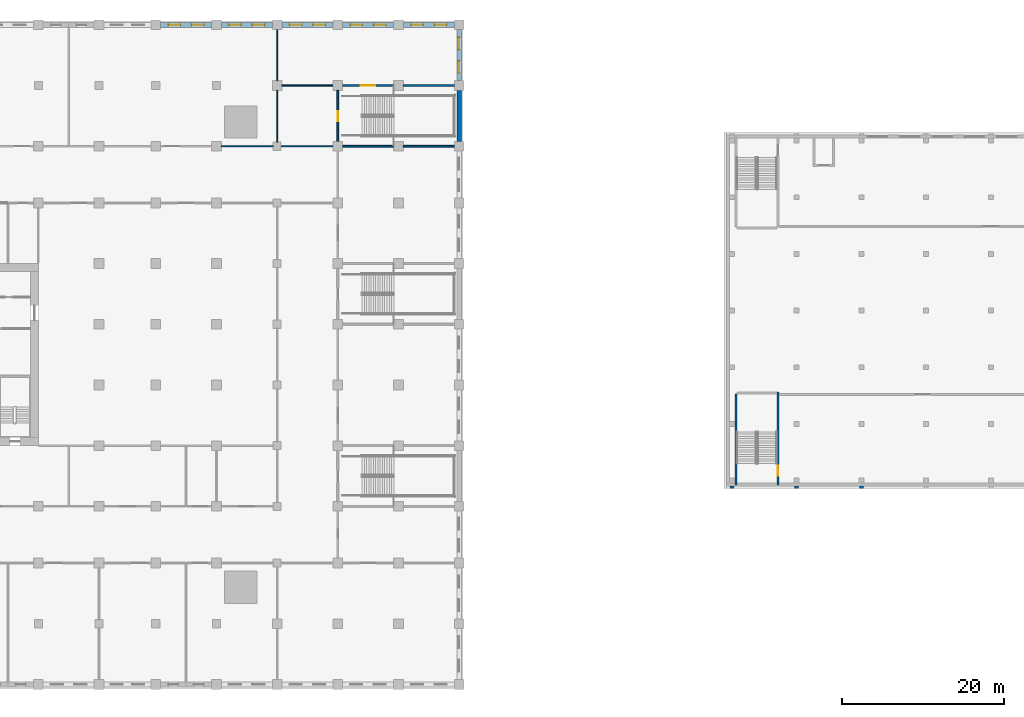
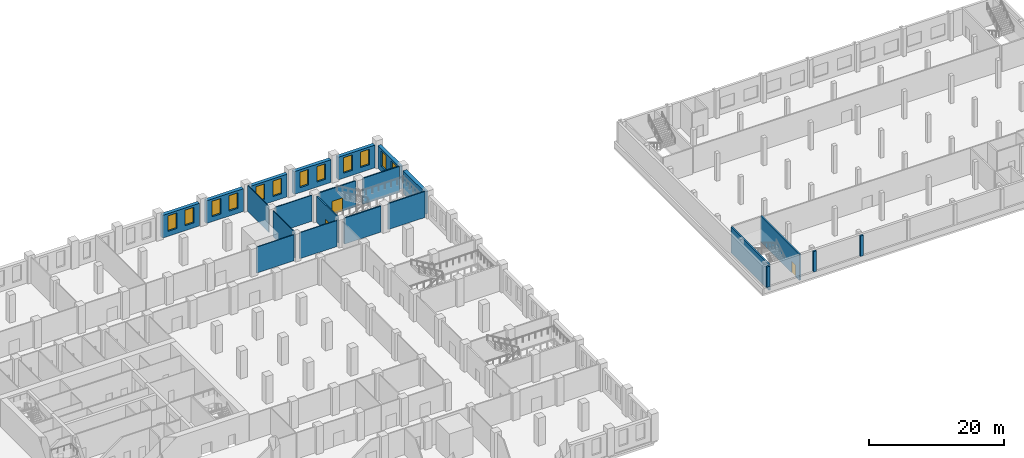
# One storey, part 10 of 32: 22 walls, 12 windows, 3 doors, 15 openings.
"""IFC4 building model written with IfcOpenShell, lengths in metres."""

from ifc_helpers import new_model, si_unit, direction, frame, frame_2d, origin, place, context, subcontext, project, spatial, rectangle, extrude, material, layer, layer_set, type_object, element, fill, save


model = new_model("IFC4")

# Units and contexts
model_context = context("Model", 3, precision=1e-05, world=origin(), true_north=direction((0.0, 1.0)))
body_context = subcontext(model_context, "Body", "Model", "MODEL_VIEW")
ifc_project = project(units=[si_unit("LENGTHUNIT", "METRE"), si_unit("AREAUNIT", "SQUARE_METRE"), si_unit("VOLUMEUNIT", "CUBIC_METRE"), si_unit("PLANEANGLEUNIT", "RADIAN"), si_unit("MASSUNIT", "GRAM", prefix="KILO")], contexts=[model_context])

# Site, building, storey
site_placement = place(None, origin())
site = spatial("IfcSite", under=ifc_project, at=site_placement, CompositionType="ELEMENT")
building_placement = place(site_placement, origin())
building = spatial("IfcBuilding", under=site, at=building_placement, Name="Tamorin Gate", CompositionType="ELEMENT")
storey_placement = place(building_placement, frame((0.0, 0.0, 13.5)))
storey = spatial("IfcBuildingStorey", under=building, at=storey_placement, Name="L02", CompositionType="ELEMENT", Elevation=13.5)

# Wall
ifc_material_1 = material(Name="Concrete C40/50", Category="concrete")
ifc_layer_1 = layer(ifc_material_1, 0.25)
ifc_layer_set_1 = layer_set([ifc_layer_1], Name="Museum stair and lift enclosure wall 250 C40/50")
wall_type_1 = type_object("IfcWallType", Name="Museum stair and lift enclosure wall 250 C40/50", PredefinedType="SHEAR", material=ifc_layer_set_1)
wall_1_placement = place(storey_placement, frame((146.175048828125, 55.14990234375, 0.0), z_axis=(0.0, 0.0, 1.0), x_axis=(0.0, 1.0, 0.0)))
element("IfcWall", 1, at=wall_1_placement, inside=storey, type_object=wall_type_1, Name="Stair PS8 wall", PredefinedType="SHEAR", context=body_context, shape_type="SweptSolid", body=[
    extrude(rectangle(XDim=11.210205078125, YDim=0.25, at=frame_2d((5.60498046875, 0.0))), origin(), (0.0, 0.0, 1.0), 4.699951171875),
])

# Wall, opening, door
wall_2_placement = place(storey_placement, frame((151.375, 55.14990234375, 0.0), z_axis=(0.0, 0.0, 1.0), x_axis=(0.0, 1.0, 0.0)))
wall_2 = element("IfcWall", 2, at=wall_2_placement, inside=storey, type_object=wall_type_1, Name="Stair PS8 wall", PredefinedType="SHEAR", context=body_context, shape_type="SweptSolid", body=[
    extrude(rectangle(XDim=11.460205078125, YDim=0.25, at=frame_2d((5.72998046875, 0.0))), origin(), (0.0, 0.0, 1.0), 4.699951171875),
])
opening_1_placement = place(wall_2_placement, frame((1.14990234375, 0.0, 0.0)))
opening_1 = element("IfcOpeningElement", 3, at=opening_1_placement, cuts=wall_2, Name="Opening DM16", PredefinedType="OPENING", context=body_context, shape_type="SweptSolid", body=[
    extrude(rectangle(XDim=1.199951171875, YDim=2.10009765625, at=frame_2d((0.60009765625, 1.050048828125))), frame((0.0, 0.135009765625, 0.0), z_axis=(0.0, -1.0, 0.0), x_axis=(1.0, 0.0, 0.0)), (0.0, 0.0, 1.0), 0.27001953125),
])
ifc_material_2 = material(Name="Steel, painted", Category="steel")
door_type_1 = type_object("IfcDoorType", Name="Museum stair door 1200x2100 FD90", OperationType="SINGLE_SWING_LEFT", PredefinedType="DOOR", material=ifc_material_2)
door_1_placement = place(opening_1_placement, origin())
door_1 = element("IfcDoor", 4, at=door_1_placement, inside=storey, type_object=door_type_1, Name="Stair door", OperationType="SINGLE_SWING_RIGHT", OverallHeight=2.10009765625, OverallWidth=1.199951171875, PredefinedType="DOOR", context=body_context, shape_type="SweptSolid", body=[
    extrude(rectangle(XDim=1.199951171875, YDim=2.10009765625, at=frame_2d((0.60009765625, 1.050048828125))), frame((0.0, 0.02490234375, 0.0), z_axis=(0.0, -1.0, 0.0), x_axis=(1.0, 0.0, 0.0)), (0.0, 0.0, 1.0), 0.050048828125),
])
fill(opening_1, door_1)

# Walls
ifc_material_3 = material(Name="Concrete masonry C20/25", Category="masonry")
ifc_layer_2 = layer(ifc_material_3, 0.14990234375)
ifc_layer_set_2 = layer_set([ifc_layer_2], Name="Partition 150")
wall_type_2 = type_object("IfcWallType", Name="Partition 150", PredefinedType="PARTITIONING", material=ifc_layer_set_2)
for number, where, z_axis, x_axis, name in (
    (5, (82.60009765625, 97.0, 0.0), (0.0, 0.0, 1.0), (1.0, 0.0, 0.0), "Partition 150 L02"),
    (6, (90.0, 97.0, 0.0), (0.0, 0.0, 1.0), (1.0, 0.0, 0.0), "Partition 150 L02"),
):
    element("IfcWall", number, at=place(storey_placement, frame(where, z_axis=z_axis, x_axis=x_axis)), inside=storey, type_object=wall_type_2, Name=name, PredefinedType="PARTITIONING", context=body_context, shape_type="SweptSolid", body=[
        extrude(rectangle(XDim=6.39990234375, YDim=0.14990234375, at=frame_2d((3.199951171875, 0.0))), origin(), (0.0, 0.0, 1.0), 4.699951171875),
    ])
wall_3_placement = place(storey_placement, frame((90.10009765625, 104.5, 0.0), z_axis=(0.0, 0.0, 1.0), x_axis=(1.0, 0.0, 0.0)))
element("IfcWall", 7, at=wall_3_placement, inside=storey, type_object=wall_type_2, Name="Partition 150 L02", PredefinedType="PARTITIONING", context=body_context, shape_type="SweptSolid", body=[
    extrude(rectangle(XDim=6.2998046875, YDim=0.14990234375, at=frame_2d((3.14990234375, 0.0))), origin(), (0.0, 0.0, 1.0), 4.699951171875),
])
wall_4_placement = place(storey_placement, frame((89.5, 97.5, 0.0), z_axis=(0.0, 0.0, 1.0), x_axis=(0.0, 1.0, 0.0)))
element("IfcWall", 8, at=wall_4_placement, inside=storey, type_object=wall_type_2, Name="Partition 150 L02", PredefinedType="PARTITIONING", context=body_context, shape_type="SweptSolid", body=[
    extrude(rectangle(XDim=6.39990234375, YDim=0.14990234375, at=frame_2d((3.199951171875, 0.0))), origin(), (0.0, 0.0, 1.0), 4.699951171875),
])
wall_5_placement = place(storey_placement, frame((89.5, 105.10009765625, 0.0), z_axis=(0.0, 0.0, 1.0), x_axis=(0.0, 1.0, 0.0)))
element("IfcWall", 9, at=wall_5_placement, inside=storey, type_object=wall_type_2, Name="Partition 150 L02", PredefinedType="PARTITIONING", context=body_context, shape_type="SweptSolid", body=[
    extrude(rectangle(XDim=6.2998046875, YDim=0.14990234375, at=frame_2d((3.14990234375, 0.0))), origin(), (0.0, 0.0, 1.0), 4.699951171875),
])

# Wall, openings, windows
ifc_material_4 = material(Name="Precast concrete C40/50", Category="concrete")
ifc_layer_3 = layer(ifc_material_4, 0.60009765625)
ifc_layer_set_3 = layer_set([ifc_layer_3], Name="Precast concrete C40/50")
wall_type_3 = type_object("IfcWallType", Name="Precast plinth wall 600", PredefinedType="PARTITIONING", material=ifc_layer_set_3)
wall_6_placement = place(storey_placement, frame((75.10009765625, 112.0, 0.0), z_axis=(0.0, 0.0, 1.0), x_axis=(1.0, 0.0, 0.0)))
wall_6 = element("IfcWall", 10, at=wall_6_placement, inside=storey, type_object=wall_type_3, Name="Precast plinth wall 600 L02", PredefinedType="PARTITIONING", context=body_context, shape_type="SweptSolid", body=[
    extrude(rectangle(XDim=6.2998046875, YDim=0.60009765625, at=frame_2d((3.14990234375, 0.0))), origin(), (0.0, 0.0, 1.0), 4.10009765625),
])
opening_2_placement = place(wall_6_placement, frame((0.950927734375, 0.0, 0.89990234375)))
opening_2 = element("IfcOpeningElement", 11, at=opening_2_placement, cuts=wall_6, Name="Opening PWN5", PredefinedType="OPENING", context=body_context, shape_type="SweptSolid", body=[
    extrude(rectangle(XDim=1.5, YDim=2.800048828125, at=frame_2d((0.75, 1.39990234375))), frame((0.0, 0.31005859375, 0.0), z_axis=(0.0, -1.0, 0.0), x_axis=(1.0, 0.0, 0.0)), (0.0, 0.0, 1.0), 0.6201171875),
])
opening_3_placement = place(wall_6_placement, frame((3.84912109375, 0.0, 0.89990234375)))
opening_3 = element("IfcOpeningElement", 12, at=opening_3_placement, cuts=wall_6, Name="Opening PWN5", PredefinedType="OPENING", context=body_context, shape_type="SweptSolid", body=[
    extrude(rectangle(XDim=1.5, YDim=2.800048828125, at=frame_2d((0.75, 1.39990234375))), frame((0.0, 0.31005859375, 0.0), z_axis=(0.0, -1.0, 0.0), x_axis=(1.0, 0.0, 0.0)), (0.0, 0.0, 1.0), 0.6201171875),
])
ifc_material_5 = material(Name="Aluminium and glass", Category="aluminium")
window_type = type_object("IfcWindowType", Name="Plinth window 1500x2800", PartitioningType="DOUBLE_PANEL_VERTICAL", PredefinedType="WINDOW", material=ifc_material_5)
window_1_placement = place(opening_2_placement, origin())
window_1 = element("IfcWindow", 13, at=window_1_placement, inside=storey, type_object=window_type, Name="Plinth window 1500x2800", OverallHeight=2.800048828125, OverallWidth=1.5, PartitioningType="SINGLE_PANEL", PredefinedType="WINDOW", context=body_context, shape_type="SweptSolid", body=[
    extrude(rectangle(XDim=1.5, YDim=2.800048828125, at=frame_2d((0.75, 1.39990234375))), frame((0.0, 0.030029296875, 0.0), z_axis=(0.0, -1.0, 0.0), x_axis=(1.0, 0.0, 0.0)), (0.0, 0.0, 1.0), 0.06005859375),
])
fill(opening_2, window_1)
window_2_placement = place(opening_3_placement, origin())
window_2 = element("IfcWindow", 14, at=window_2_placement, inside=storey, type_object=window_type, Name="Plinth window 1500x2800", OverallHeight=2.800048828125, OverallWidth=1.5, PartitioningType="SINGLE_PANEL", PredefinedType="WINDOW", context=body_context, shape_type="SweptSolid", body=[
    extrude(rectangle(XDim=1.5, YDim=2.800048828125, at=frame_2d((0.75, 1.39990234375))), frame((0.0, 0.030029296875, 0.0), z_axis=(0.0, -1.0, 0.0), x_axis=(1.0, 0.0, 0.0)), (0.0, 0.0, 1.0), 0.06005859375),
])
fill(opening_3, window_2)

wall_7_placement = place(storey_placement, frame((82.60009765625, 112.0, 0.0), z_axis=(0.0, 0.0, 1.0), x_axis=(1.0, 0.0, 0.0)))
wall_7 = element("IfcWall", 15, at=wall_7_placement, inside=storey, type_object=wall_type_3, Name="Precast plinth wall 600 L02", PredefinedType="PARTITIONING", context=body_context, shape_type="SweptSolid", body=[
    extrude(rectangle(XDim=6.2998046875, YDim=0.60009765625, at=frame_2d((3.14990234375, 0.0))), origin(), (0.0, 0.0, 1.0), 4.10009765625),
])
opening_4_placement = place(wall_7_placement, frame((0.950927734375, 0.0, 0.89990234375)))
opening_4 = element("IfcOpeningElement", 16, at=opening_4_placement, cuts=wall_7, Name="Opening PWN5", PredefinedType="OPENING", context=body_context, shape_type="SweptSolid", body=[
    extrude(rectangle(XDim=1.5, YDim=2.800048828125, at=frame_2d((0.75, 1.39990234375))), frame((0.0, 0.31005859375, 0.0), z_axis=(0.0, -1.0, 0.0), x_axis=(1.0, 0.0, 0.0)), (0.0, 0.0, 1.0), 0.6201171875),
])
opening_5_placement = place(wall_7_placement, frame((3.84912109375, 0.0, 0.89990234375)))
opening_5 = element("IfcOpeningElement", 17, at=opening_5_placement, cuts=wall_7, Name="Opening PWN5", PredefinedType="OPENING", context=body_context, shape_type="SweptSolid", body=[
    extrude(rectangle(XDim=1.5, YDim=2.800048828125, at=frame_2d((0.75, 1.39990234375))), frame((0.0, 0.31005859375, 0.0), z_axis=(0.0, -1.0, 0.0), x_axis=(1.0, 0.0, 0.0)), (0.0, 0.0, 1.0), 0.6201171875),
])
window_3_placement = place(opening_4_placement, origin())
window_3 = element("IfcWindow", 18, at=window_3_placement, inside=storey, type_object=window_type, Name="Plinth window 1500x2800", OverallHeight=2.800048828125, OverallWidth=1.5, PartitioningType="SINGLE_PANEL", PredefinedType="WINDOW", context=body_context, shape_type="SweptSolid", body=[
    extrude(rectangle(XDim=1.5, YDim=2.800048828125, at=frame_2d((0.75, 1.39990234375))), frame((0.0, 0.030029296875, 0.0), z_axis=(0.0, -1.0, 0.0), x_axis=(1.0, 0.0, 0.0)), (0.0, 0.0, 1.0), 0.06005859375),
])
fill(opening_4, window_3)
window_4_placement = place(opening_5_placement, origin())
window_4 = element("IfcWindow", 19, at=window_4_placement, inside=storey, type_object=window_type, Name="Plinth window 1500x2800", OverallHeight=2.800048828125, OverallWidth=1.5, PartitioningType="SINGLE_PANEL", PredefinedType="WINDOW", context=body_context, shape_type="SweptSolid", body=[
    extrude(rectangle(XDim=1.5, YDim=2.800048828125, at=frame_2d((0.75, 1.39990234375))), frame((0.0, 0.030029296875, 0.0), z_axis=(0.0, -1.0, 0.0), x_axis=(1.0, 0.0, 0.0)), (0.0, 0.0, 1.0), 0.06005859375),
])
fill(opening_5, window_4)

wall_8_placement = place(storey_placement, frame((90.10009765625, 112.0, 0.0), z_axis=(0.0, 0.0, 1.0), x_axis=(1.0, 0.0, 0.0)))
wall_8 = element("IfcWall", 20, at=wall_8_placement, inside=storey, type_object=wall_type_3, Name="Precast plinth wall 600 L02", PredefinedType="PARTITIONING", context=body_context, shape_type="SweptSolid", body=[
    extrude(rectangle(XDim=6.2998046875, YDim=0.60009765625, at=frame_2d((3.14990234375, 0.0))), origin(), (0.0, 0.0, 1.0), 4.10009765625),
])
opening_6_placement = place(wall_8_placement, frame((0.950927734375, 0.0, 0.89990234375)))
opening_6 = element("IfcOpeningElement", 21, at=opening_6_placement, cuts=wall_8, Name="Opening PWN5", PredefinedType="OPENING", context=body_context, shape_type="SweptSolid", body=[
    extrude(rectangle(XDim=1.5, YDim=2.800048828125, at=frame_2d((0.75, 1.39990234375))), frame((0.0, 0.31005859375, 0.0), z_axis=(0.0, -1.0, 0.0), x_axis=(1.0, 0.0, 0.0)), (0.0, 0.0, 1.0), 0.6201171875),
])
opening_7_placement = place(wall_8_placement, frame((3.84912109375, 0.0, 0.89990234375)))
opening_7 = element("IfcOpeningElement", 22, at=opening_7_placement, cuts=wall_8, Name="Opening PWN5", PredefinedType="OPENING", context=body_context, shape_type="SweptSolid", body=[
    extrude(rectangle(XDim=1.5, YDim=2.800048828125, at=frame_2d((0.75, 1.39990234375))), frame((0.0, 0.31005859375, 0.0), z_axis=(0.0, -1.0, 0.0), x_axis=(1.0, 0.0, 0.0)), (0.0, 0.0, 1.0), 0.6201171875),
])
window_5_placement = place(opening_6_placement, origin())
window_5 = element("IfcWindow", 23, at=window_5_placement, inside=storey, type_object=window_type, Name="Plinth window 1500x2800", OverallHeight=2.800048828125, OverallWidth=1.5, PartitioningType="SINGLE_PANEL", PredefinedType="WINDOW", context=body_context, shape_type="SweptSolid", body=[
    extrude(rectangle(XDim=1.5, YDim=2.800048828125, at=frame_2d((0.75, 1.39990234375))), frame((0.0, 0.030029296875, 0.0), z_axis=(0.0, -1.0, 0.0), x_axis=(1.0, 0.0, 0.0)), (0.0, 0.0, 1.0), 0.06005859375),
])
fill(opening_6, window_5)
window_6_placement = place(opening_7_placement, origin())
window_6 = element("IfcWindow", 24, at=window_6_placement, inside=storey, type_object=window_type, Name="Plinth window 1500x2800", OverallHeight=2.800048828125, OverallWidth=1.5, PartitioningType="SINGLE_PANEL", PredefinedType="WINDOW", context=body_context, shape_type="SweptSolid", body=[
    extrude(rectangle(XDim=1.5, YDim=2.800048828125, at=frame_2d((0.75, 1.39990234375))), frame((0.0, 0.030029296875, 0.0), z_axis=(0.0, -1.0, 0.0), x_axis=(1.0, 0.0, 0.0)), (0.0, 0.0, 1.0), 0.06005859375),
])
fill(opening_7, window_6)

wall_9_placement = place(storey_placement, frame((97.60009765625, 112.0, 0.0), z_axis=(0.0, 0.0, 1.0), x_axis=(1.0, 0.0, 0.0)))
wall_9 = element("IfcWall", 25, at=wall_9_placement, inside=storey, type_object=wall_type_3, Name="Precast plinth wall 600 L02", PredefinedType="PARTITIONING", context=body_context, shape_type="SweptSolid", body=[
    extrude(rectangle(XDim=6.2998046875, YDim=0.60009765625, at=frame_2d((3.14990234375, 0.0))), origin(), (0.0, 0.0, 1.0), 4.10009765625),
])
opening_8_placement = place(wall_9_placement, frame((0.950927734375, 0.0, 0.89990234375)))
opening_8 = element("IfcOpeningElement", 26, at=opening_8_placement, cuts=wall_9, Name="Opening PWN5", PredefinedType="OPENING", context=body_context, shape_type="SweptSolid", body=[
    extrude(rectangle(XDim=1.5, YDim=2.800048828125, at=frame_2d((0.75, 1.39990234375))), frame((0.0, 0.31005859375, 0.0), z_axis=(0.0, -1.0, 0.0), x_axis=(1.0, 0.0, 0.0)), (0.0, 0.0, 1.0), 0.6201171875),
])
opening_9_placement = place(wall_9_placement, frame((3.84912109375, 0.0, 0.89990234375)))
opening_9 = element("IfcOpeningElement", 27, at=opening_9_placement, cuts=wall_9, Name="Opening PWN5", PredefinedType="OPENING", context=body_context, shape_type="SweptSolid", body=[
    extrude(rectangle(XDim=1.5, YDim=2.800048828125, at=frame_2d((0.75, 1.39990234375))), frame((0.0, 0.31005859375, 0.0), z_axis=(0.0, -1.0, 0.0), x_axis=(1.0, 0.0, 0.0)), (0.0, 0.0, 1.0), 0.6201171875),
])
window_7_placement = place(opening_8_placement, origin())
window_7 = element("IfcWindow", 28, at=window_7_placement, inside=storey, type_object=window_type, Name="Plinth window 1500x2800", OverallHeight=2.800048828125, OverallWidth=1.5, PartitioningType="SINGLE_PANEL", PredefinedType="WINDOW", context=body_context, shape_type="SweptSolid", body=[
    extrude(rectangle(XDim=1.5, YDim=2.800048828125, at=frame_2d((0.75, 1.39990234375))), frame((0.0, 0.030029296875, 0.0), z_axis=(0.0, -1.0, 0.0), x_axis=(1.0, 0.0, 0.0)), (0.0, 0.0, 1.0), 0.06005859375),
])
fill(opening_8, window_7)
window_8_placement = place(opening_9_placement, origin())
window_8 = element("IfcWindow", 29, at=window_8_placement, inside=storey, type_object=window_type, Name="Plinth window 1500x2800", OverallHeight=2.800048828125, OverallWidth=1.5, PartitioningType="SINGLE_PANEL", PredefinedType="WINDOW", context=body_context, shape_type="SweptSolid", body=[
    extrude(rectangle(XDim=1.5, YDim=2.800048828125, at=frame_2d((0.75, 1.39990234375))), frame((0.0, 0.030029296875, 0.0), z_axis=(0.0, -1.0, 0.0), x_axis=(1.0, 0.0, 0.0)), (0.0, 0.0, 1.0), 0.06005859375),
])
fill(opening_9, window_8)

wall_10_placement = place(storey_placement, frame((105.10009765625, 112.0, 0.0), z_axis=(0.0, 0.0, 1.0), x_axis=(1.0, 0.0, 0.0)))
wall_10 = element("IfcWall", 30, at=wall_10_placement, inside=storey, type_object=wall_type_3, Name="Precast plinth wall 600 L02", PredefinedType="PARTITIONING", context=body_context, shape_type="SweptSolid", body=[
    extrude(rectangle(XDim=6.2998046875, YDim=0.60009765625, at=frame_2d((3.14990234375, 0.0))), origin(), (0.0, 0.0, 1.0), 4.10009765625),
])
opening_10_placement = place(wall_10_placement, frame((0.950927734375, 0.0, 0.89990234375)))
opening_10 = element("IfcOpeningElement", 31, at=opening_10_placement, cuts=wall_10, Name="Opening PWN5", PredefinedType="OPENING", context=body_context, shape_type="SweptSolid", body=[
    extrude(rectangle(XDim=1.5, YDim=2.800048828125, at=frame_2d((0.75, 1.39990234375))), frame((0.0, 0.31005859375, 0.0), z_axis=(0.0, -1.0, 0.0), x_axis=(1.0, 0.0, 0.0)), (0.0, 0.0, 1.0), 0.6201171875),
])
opening_11_placement = place(wall_10_placement, frame((3.84912109375, 0.0, 0.89990234375)))
opening_11 = element("IfcOpeningElement", 32, at=opening_11_placement, cuts=wall_10, Name="Opening PWN5", PredefinedType="OPENING", context=body_context, shape_type="SweptSolid", body=[
    extrude(rectangle(XDim=1.5, YDim=2.800048828125, at=frame_2d((0.75, 1.39990234375))), frame((0.0, 0.31005859375, 0.0), z_axis=(0.0, -1.0, 0.0), x_axis=(1.0, 0.0, 0.0)), (0.0, 0.0, 1.0), 0.6201171875),
])
window_9_placement = place(opening_10_placement, origin())
window_9 = element("IfcWindow", 33, at=window_9_placement, inside=storey, type_object=window_type, Name="Plinth window 1500x2800", OverallHeight=2.800048828125, OverallWidth=1.5, PartitioningType="SINGLE_PANEL", PredefinedType="WINDOW", context=body_context, shape_type="SweptSolid", body=[
    extrude(rectangle(XDim=1.5, YDim=2.800048828125, at=frame_2d((0.75, 1.39990234375))), frame((0.0, 0.030029296875, 0.0), z_axis=(0.0, -1.0, 0.0), x_axis=(1.0, 0.0, 0.0)), (0.0, 0.0, 1.0), 0.06005859375),
])
fill(opening_10, window_9)
window_10_placement = place(opening_11_placement, origin())
window_10 = element("IfcWindow", 34, at=window_10_placement, inside=storey, type_object=window_type, Name="Plinth window 1500x2800", OverallHeight=2.800048828125, OverallWidth=1.5, PartitioningType="SINGLE_PANEL", PredefinedType="WINDOW", context=body_context, shape_type="SweptSolid", body=[
    extrude(rectangle(XDim=1.5, YDim=2.800048828125, at=frame_2d((0.75, 1.39990234375))), frame((0.0, 0.030029296875, 0.0), z_axis=(0.0, -1.0, 0.0), x_axis=(1.0, 0.0, 0.0)), (0.0, 0.0, 1.0), 0.06005859375),
])
fill(opening_11, window_10)

# Wall
wall_11_placement = place(storey_placement, frame((112.0, 97.60009765625, 0.0), z_axis=(0.0, 0.0, 1.0), x_axis=(0.0, 1.0, 0.0)))
element("IfcWall", 35, at=wall_11_placement, inside=storey, type_object=wall_type_3, Name="Precast plinth wall 600 L02", PredefinedType="PARTITIONING", context=body_context, shape_type="SweptSolid", body=[
    extrude(rectangle(XDim=6.2998046875, YDim=0.60009765625, at=frame_2d((3.14990234375, 0.0))), origin(), (0.0, 0.0, 1.0), 4.10009765625),
])

# Wall, openings, windows
wall_12_placement = place(storey_placement, frame((112.0, 105.10009765625, 0.0), z_axis=(0.0, 0.0, 1.0), x_axis=(0.0, 1.0, 0.0)))
wall_12 = element("IfcWall", 36, at=wall_12_placement, inside=storey, type_object=wall_type_3, Name="Precast plinth wall 600 L02", PredefinedType="PARTITIONING", context=body_context, shape_type="SweptSolid", body=[
    extrude(rectangle(XDim=6.2998046875, YDim=0.60009765625, at=frame_2d((3.14990234375, 0.0))), origin(), (0.0, 0.0, 1.0), 4.10009765625),
])
opening_12_placement = place(wall_12_placement, frame((0.950927734375, 0.0, 0.89990234375)))
opening_12 = element("IfcOpeningElement", 37, at=opening_12_placement, cuts=wall_12, Name="Opening PWN5", PredefinedType="OPENING", context=body_context, shape_type="SweptSolid", body=[
    extrude(rectangle(XDim=1.5, YDim=2.800048828125, at=frame_2d((0.75, 1.39990234375))), frame((0.0, 0.31005859375, 0.0), z_axis=(0.0, -1.0, 0.0), x_axis=(1.0, 0.0, 0.0)), (0.0, 0.0, 1.0), 0.6201171875),
])
opening_13_placement = place(wall_12_placement, frame((3.84912109375, 0.0, 0.89990234375)))
opening_13 = element("IfcOpeningElement", 38, at=opening_13_placement, cuts=wall_12, Name="Opening PWN5", PredefinedType="OPENING", context=body_context, shape_type="SweptSolid", body=[
    extrude(rectangle(XDim=1.5, YDim=2.800048828125, at=frame_2d((0.75, 1.39990234375))), frame((0.0, 0.31005859375, 0.0), z_axis=(0.0, -1.0, 0.0), x_axis=(1.0, 0.0, 0.0)), (0.0, 0.0, 1.0), 0.6201171875),
])
window_11_placement = place(opening_12_placement, origin())
window_11 = element("IfcWindow", 39, at=window_11_placement, inside=storey, type_object=window_type, Name="Plinth window 1500x2800", OverallHeight=2.800048828125, OverallWidth=1.5, PartitioningType="SINGLE_PANEL", PredefinedType="WINDOW", context=body_context, shape_type="SweptSolid", body=[
    extrude(rectangle(XDim=1.5, YDim=2.800048828125, at=frame_2d((0.75, 1.39990234375))), frame((0.0, 0.030029296875, 0.0), z_axis=(0.0, -1.0, 0.0), x_axis=(1.0, 0.0, 0.0)), (0.0, 0.0, 1.0), 0.06005859375),
])
fill(opening_12, window_11)
window_12_placement = place(opening_13_placement, origin())
window_12 = element("IfcWindow", 40, at=window_12_placement, inside=storey, type_object=window_type, Name="Plinth window 1500x2800", OverallHeight=2.800048828125, OverallWidth=1.5, PartitioningType="SINGLE_PANEL", PredefinedType="WINDOW", context=body_context, shape_type="SweptSolid", body=[
    extrude(rectangle(XDim=1.5, YDim=2.800048828125, at=frame_2d((0.75, 1.39990234375))), frame((0.0, 0.030029296875, 0.0), z_axis=(0.0, -1.0, 0.0), x_axis=(1.0, 0.0, 0.0)), (0.0, 0.0, 1.0), 0.06005859375),
])
fill(opening_13, window_12)

# Walls
ifc_layer_4 = layer(ifc_material_1, 0.5)
ifc_layer_set_4 = layer_set([ifc_layer_4], Name="Precast rib wall 500 C40/50")
wall_type_4 = type_object("IfcWallType", Name="Precast rib wall 500 C40/50", PredefinedType="STANDARD", material=ifc_layer_set_4)
for number, where, z_axis, x_axis, name in (
    (41, (145.699951171875, 54.699951171875, 1.0), (0.0, 0.0, 1.0), (0.0, 1.0, 0.0), "Precast rib"),
    (42, (153.699951171875, 54.699951171875, 1.0), (0.0, 0.0, 1.0), (0.0, 1.0, 0.0), "Precast rib"),
    (43, (161.699951171875, 54.699951171875, 1.0), (0.0, 0.0, 1.0), (0.0, 1.0, 0.0), "Precast rib"),
):
    element("IfcWall", number, at=place(storey_placement, frame(where, z_axis=z_axis, x_axis=x_axis)), inside=storey, type_object=wall_type_4, Name=name, PredefinedType="STANDARD", context=body_context, shape_type="SweptSolid", body=[
        extrude(rectangle(XDim=0.300048828125, YDim=0.5, at=frame_2d((0.14990234375, 0.0))), origin(), (0.0, 0.0, 1.0), 3.699951171875),
    ])
ifc_layer_5 = layer(ifc_material_1, 0.199951171875)
ifc_layer_set_5 = layer_set([ifc_layer_5], Name="Stair enclosure 200")
wall_type_5 = type_object("IfcWallType", Name="Stair enclosure 200", PredefinedType="SHEAR", material=ifc_layer_set_5)
for number, where, z_axis, x_axis, name in (
    (44, (97.60009765625, 97.0, 0.0), (0.0, 0.0, 1.0), (1.0, 0.0, 0.0), "Stair enclosure 200 L02"),
    (45, (105.10009765625, 97.0, 0.0), (0.0, 0.0, 1.0), (1.0, 0.0, 0.0), "Stair enclosure 200 L02"),
):
    element("IfcWall", number, at=place(storey_placement, frame(where, z_axis=z_axis, x_axis=x_axis)), inside=storey, type_object=wall_type_5, Name=name, PredefinedType="SHEAR", context=body_context, shape_type="SweptSolid", body=[
        extrude(rectangle(XDim=6.2998046875, YDim=0.199951171875, at=frame_2d((3.14990234375, 0.0))), origin(), (0.0, 0.0, 1.0), 4.699951171875),
    ])

# Wall, opening, door
wall_13_placement = place(storey_placement, frame((103.89990234375, 104.5, 0.0), z_axis=(0.0, 0.0, 1.0), x_axis=(-1.0, 0.0, 0.0)))
wall_13 = element("IfcWall", 46, at=wall_13_placement, inside=storey, type_object=wall_type_5, Name="Stair enclosure 200 L02", PredefinedType="SHEAR", context=body_context, shape_type="SweptSolid", body=[
    extrude(rectangle(XDim=6.2998046875, YDim=0.199951171875, at=frame_2d((3.14990234375, 0.0))), origin(), (0.0, 0.0, 1.0), 4.699951171875),
])
opening_14_placement = place(wall_13_placement, frame((2.25, 0.0, 0.0)))
opening_14 = element("IfcOpeningElement", 47, at=opening_14_placement, cuts=wall_13, Name="Opening DP3", PredefinedType="OPENING", context=body_context, shape_type="SweptSolid", body=[
    extrude(rectangle(XDim=1.800048828125, YDim=2.39990234375, at=frame_2d((0.89990234375, 1.199951171875))), frame((0.0, 0.10986328125, 0.0), z_axis=(0.0, -1.0, 0.0), x_axis=(1.0, 0.0, 0.0)), (0.0, 0.0, 1.0), 0.219970703125),
])
ifc_material_6 = material(Name="Steel and glass", Category="steel")
door_type_2 = type_object("IfcDoorType", Name="Door pair 1800", OperationType="DOUBLE_DOOR_SINGLE_SWING", PredefinedType="DOOR", material=ifc_material_6)
door_2_placement = place(opening_14_placement, origin())
door_2 = element("IfcDoor", 48, at=door_2_placement, inside=storey, type_object=door_type_2, Name="Door pair 1800 L02", OperationType="SINGLE_SWING_LEFT", OverallHeight=2.39990234375, OverallWidth=1.800048828125, PredefinedType="DOOR", context=body_context, shape_type="SweptSolid", body=[
    extrude(rectangle(XDim=1.800048828125, YDim=2.39990234375, at=frame_2d((0.89990234375, 1.199951171875))), frame((0.0, 0.02490234375, 0.0), z_axis=(0.0, -1.0, 0.0), x_axis=(1.0, 0.0, 0.0)), (0.0, 0.0, 1.0), 0.050048828125),
])
fill(opening_14, door_2)

# Wall
wall_14_placement = place(storey_placement, frame((105.10009765625, 104.5, 0.0), z_axis=(0.0, 0.0, 1.0), x_axis=(1.0, 0.0, 0.0)))
element("IfcWall", 49, at=wall_14_placement, inside=storey, type_object=wall_type_5, Name="Stair enclosure 200 L02", PredefinedType="SHEAR", context=body_context, shape_type="SweptSolid", body=[
    extrude(rectangle(XDim=6.2998046875, YDim=0.199951171875, at=frame_2d((3.14990234375, 0.0))), origin(), (0.0, 0.0, 1.0), 4.699951171875),
])

# Wall, opening, door
wall_15_placement = place(storey_placement, frame((97.0, 103.89990234375, 0.0), z_axis=(0.0, 0.0, 1.0), x_axis=(0.0, -1.0, 0.0)))
wall_15 = element("IfcWall", 50, at=wall_15_placement, inside=storey, type_object=wall_type_5, Name="Stair enclosure 200 L02", PredefinedType="SHEAR", context=body_context, shape_type="SweptSolid", body=[
    extrude(rectangle(XDim=6.2998046875, YDim=0.199951171875, at=frame_2d((3.14990234375, 0.0))), origin(), (0.0, 0.0, 1.0), 4.699951171875),
])
opening_15_placement = place(wall_15_placement, frame((2.60009765625, 0.0, 0.0)))
opening_15 = element("IfcOpeningElement", 51, at=opening_15_placement, cuts=wall_15, Name="Opening DP5", PredefinedType="OPENING", context=body_context, shape_type="SweptSolid", body=[
    extrude(rectangle(XDim=1.199951171875, YDim=2.10009765625, at=frame_2d((0.60009765625, 1.050048828125))), frame((0.0, 0.10986328125, 0.0), z_axis=(0.0, -1.0, 0.0), x_axis=(1.0, 0.0, 0.0)), (0.0, 0.0, 1.0), 0.219970703125),
])
ifc_material_7 = material(Name="Painted steel", Category="steel")
door_type_3 = type_object("IfcDoorType", Name="Stair door 1200", OperationType="SINGLE_SWING_LEFT", PredefinedType="DOOR", material=ifc_material_7)
door_3_placement = place(opening_15_placement, origin())
door_3 = element("IfcDoor", 52, at=door_3_placement, inside=storey, type_object=door_type_3, Name="Stair door 1200 L02", OperationType="SINGLE_SWING_LEFT", OverallHeight=2.10009765625, OverallWidth=1.199951171875, PredefinedType="DOOR", context=body_context, shape_type="SweptSolid", body=[
    extrude(rectangle(XDim=1.199951171875, YDim=2.10009765625, at=frame_2d((0.60009765625, 1.050048828125))), frame((0.0, 0.02490234375, 0.0), z_axis=(0.0, -1.0, 0.0), x_axis=(1.0, 0.0, 0.0)), (0.0, 0.0, 1.0), 0.050048828125),
])
fill(opening_15, door_3)

save(model, "model.ifc")
